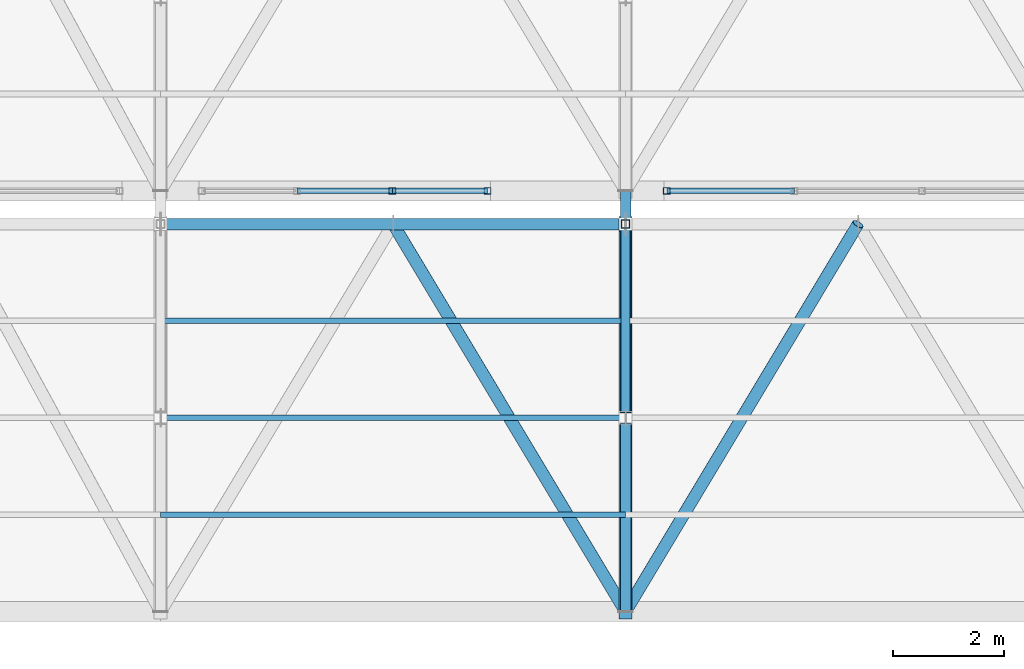
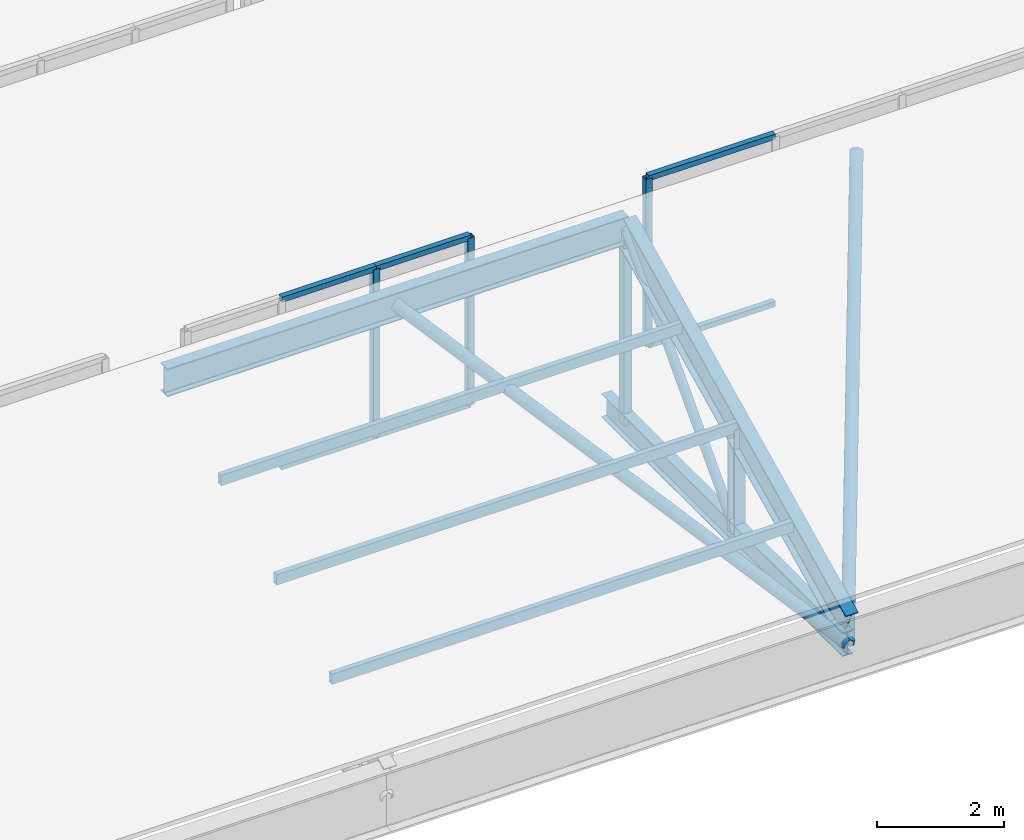
# One storey, part 7 of 57: 20 members, 2 elements without a shape of their own.
"""IFC4 building model written with IfcOpenShell, lengths in metres."""

from ifc_helpers import new_model, si_unit, direction, frame, origin, origin_2d, place, context, subcontext, project, spatial, hollow_rectangle, hollow_circle, i_section, extrude, material, material_profile, profile_set, type_object, element, aggregate, save


model = new_model("IFC4")

# Units and contexts
model_context = context("Model", 3, precision=1e-05, world=origin(), true_north=direction((0.0, 1.0)))
body_context = subcontext(model_context, "Body", "Model", "MODEL_VIEW")
ifc_project = project(units=[si_unit("LENGTHUNIT", "METRE"), si_unit("AREAUNIT", "SQUARE_METRE"), si_unit("VOLUMEUNIT", "CUBIC_METRE"), si_unit("PLANEANGLEUNIT", "RADIAN"), si_unit("MASSUNIT", "GRAM", prefix="KILO")], contexts=[model_context])

# Site, building, storey
site_placement = place(None, origin())
site = spatial("IfcSite", under=ifc_project, at=site_placement, CompositionType="ELEMENT")
building_placement = place(site_placement, origin())
building = spatial("IfcBuilding", under=site, at=building_placement, Name="Zuvorla Pavilion Media Centre", CompositionType="ELEMENT")
storey_placement = place(building_placement, frame((0.0, 0.0, 18.0)))
storey = spatial("IfcBuildingStorey", under=building, at=storey_placement, Name="L04", CompositionType="ELEMENT", Elevation=18.0)

# Curtain wall, members
ifc_material_1 = material(Name="Unitised anodised aluminium and solar glass curtain wall", Category="aluminium")
curtain_wall_type_1 = type_object("IfcCurtainWallType", Name="CW-SYS-91", PredefinedType="USERDEFINED", material=ifc_material_1)
curtain_wall_1_placement = place(storey_placement, origin())
curtain_wall_1 = element("IfcCurtainWall", 1, at=curtain_wall_1_placement, inside=storey, type_object=curtain_wall_type_1, Name="L04 curtain wall CW91 225", ObjectType="CURTAIN WALL", PredefinedType="USERDEFINED")
ifc_material_2 = material(Name="Anodised aluminium 6063-T6", Category="aluminium")
ifc_material_profile_1 = material_profile(ifc_material_2, hollow_rectangle(XDim=0.1201171875, YDim=0.1201171875, WallThickness=0.0048828125, at=origin_2d()), Name="ALU MULL 120x120")
ifc_profile_set_1 = profile_set([ifc_material_profile_1], Name="Anodised aluminium 6063-T6")
member_type_1 = type_object("IfcMemberType", Name="CW-MULL-120", PredefinedType="MULLION", material=ifc_profile_set_1)
member_1_placement = place(storey_placement, frame((129.785888671875, 13.60009765625, 0.0), z_axis=(0.0, 0.0, 1.0), x_axis=(1.0, 0.0, 0.0)))
member_1 = element("IfcMember", 2, at=member_1_placement, type_object=member_type_1, Name="CW91 mullion 3", PredefinedType="MULLION", context=body_context, shape_type="SweptSolid", body=[
    extrude(hollow_rectangle(XDim=0.1201171875, YDim=0.1201171875, WallThickness=0.0048828125, at=origin_2d()), origin(), (0.0, 0.0, 1.0), 3.219970703125),
])
member_2_placement = place(storey_placement, frame((131.506591796875, 13.60009765625, 0.0), z_axis=(0.0, 0.0, 1.0), x_axis=(1.0, 0.0, 0.0)))
member_2 = element("IfcMember", 3, at=member_2_placement, type_object=member_type_1, Name="CW91 mullion 4", PredefinedType="MULLION", context=body_context, shape_type="SweptSolid", body=[
    extrude(hollow_rectangle(XDim=0.1201171875, YDim=0.1201171875, WallThickness=0.0048828125, at=origin_2d()), origin(), (0.0, 0.0, 1.0), 3.219970703125),
])

# Curtain wall, member
curtain_wall_type_2 = type_object("IfcCurtainWallType", Name="CW-SYS-92", PredefinedType="USERDEFINED", material=ifc_material_1)
curtain_wall_2_placement = place(storey_placement, origin())
curtain_wall_2 = element("IfcCurtainWall", 4, at=curtain_wall_2_placement, inside=storey, type_object=curtain_wall_type_2, Name="L04 curtain wall CW92 226", ObjectType="CURTAIN WALL", PredefinedType="USERDEFINED")
member_3_placement = place(storey_placement, frame((134.744384765625, 13.60009765625, 0.0), z_axis=(0.0, 0.0, 1.0), x_axis=(1.0, 0.0, 0.0)))
member_3 = element("IfcMember", 5, at=member_3_placement, type_object=member_type_1, Name="CW92 mullion 1", PredefinedType="MULLION", context=body_context, shape_type="SweptSolid", body=[
    extrude(hollow_rectangle(XDim=0.1201171875, YDim=0.1201171875, WallThickness=0.0048828125, at=origin_2d()), origin(), (0.0, 0.0, 1.0), 3.219970703125),
])

# Member
ifc_material_profile_2 = material_profile(ifc_material_2, hollow_rectangle(XDim=0.10009765625, YDim=0.10009765625, WallThickness=0.00439453125, at=origin_2d()), Name="ALU TRAN 100x100")
ifc_profile_set_2 = profile_set([ifc_material_profile_2], Name="Anodised aluminium 6063-T6")
member_type_2 = type_object("IfcMemberType", Name="CW-TRAN-100", PredefinedType="USERDEFINED", material=ifc_profile_set_2)
member_4_placement = place(storey_placement, frame((128.065185546875, 13.60009765625, 0.0), z_axis=(1.0, 0.0, 0.0), x_axis=(0.0, 1.0, 0.0)))
member_4 = element("IfcMember", 6, at=member_4_placement, type_object=member_type_2, Name="CW91 transom 2.1", ObjectType="TRANSOM", PredefinedType="USERDEFINED", context=body_context, shape_type="SweptSolid", body=[
    extrude(hollow_rectangle(XDim=0.10009765625, YDim=0.10009765625, WallThickness=0.00439453125, at=origin_2d()), origin(), (0.0, 0.0, 1.0), 1.720703125),
])

member_5_placement = place(storey_placement, frame((128.065185546875, 13.60009765625, 3.219970703125), z_axis=(1.0, 0.0, 0.0), x_axis=(0.0, 1.0, 0.0)))
member_5 = element("IfcMember", 7, at=member_5_placement, type_object=member_type_2, Name="CW91 transom 2.2", ObjectType="TRANSOM", PredefinedType="USERDEFINED", context=body_context, shape_type="SweptSolid", body=[
    extrude(hollow_rectangle(XDim=0.10009765625, YDim=0.10009765625, WallThickness=0.00439453125, at=origin_2d()), origin(), (0.0, 0.0, 1.0), 1.720703125),
])

member_6_placement = place(storey_placement, frame((129.785888671875, 13.60009765625, 0.0), z_axis=(1.0, 0.0, 0.0), x_axis=(0.0, 1.0, 0.0)))
member_6 = element("IfcMember", 8, at=member_6_placement, type_object=member_type_2, Name="CW91 transom 3.1", ObjectType="TRANSOM", PredefinedType="USERDEFINED", context=body_context, shape_type="SweptSolid", body=[
    extrude(hollow_rectangle(XDim=0.10009765625, YDim=0.10009765625, WallThickness=0.00439453125, at=origin_2d()), origin(), (0.0, 0.0, 1.0), 1.720703125),
])

member_7_placement = place(storey_placement, frame((129.785888671875, 13.60009765625, 3.219970703125), z_axis=(1.0, 0.0, 0.0), x_axis=(0.0, 1.0, 0.0)))
member_7 = element("IfcMember", 9, at=member_7_placement, type_object=member_type_2, Name="CW91 transom 3.2", ObjectType="TRANSOM", PredefinedType="USERDEFINED", context=body_context, shape_type="SweptSolid", body=[
    extrude(hollow_rectangle(XDim=0.10009765625, YDim=0.10009765625, WallThickness=0.00439453125, at=origin_2d()), origin(), (0.0, 0.0, 1.0), 1.720703125),
])

aggregate(curtain_wall_1, [member_1, member_2, member_4, member_5, member_6, member_7])

member_8_placement = place(storey_placement, frame((134.744384765625, 13.60009765625, 0.0), z_axis=(1.0, 0.0, 0.0), x_axis=(0.0, 1.0, 0.0)))
member_8 = element("IfcMember", 10, at=member_8_placement, type_object=member_type_2, Name="CW92 transom 1.1", ObjectType="TRANSOM", PredefinedType="USERDEFINED", context=body_context, shape_type="SweptSolid", body=[
    extrude(hollow_rectangle(XDim=0.10009765625, YDim=0.10009765625, WallThickness=0.00439453125, at=origin_2d()), origin(), (0.0, 0.0, 1.0), 2.3037109375),
])

member_9_placement = place(storey_placement, frame((134.744384765625, 13.60009765625, 3.219970703125), z_axis=(1.0, 0.0, 0.0), x_axis=(0.0, 1.0, 0.0)))
member_9 = element("IfcMember", 11, at=member_9_placement, type_object=member_type_2, Name="CW92 transom 1.2", ObjectType="TRANSOM", PredefinedType="USERDEFINED", context=body_context, shape_type="SweptSolid", body=[
    extrude(hollow_rectangle(XDim=0.10009765625, YDim=0.10009765625, WallThickness=0.00439453125, at=origin_2d()), origin(), (0.0, 0.0, 1.0), 2.3037109375),
])

aggregate(curtain_wall_2, [member_3, member_8, member_9])

# Members
ifc_material_3 = material(Name="Steel S355", Category="steel")
ifc_material_profile_3 = material_profile(ifc_material_3, hollow_circle(Radius=0.084228515625, WallThickness=0.008056640625, at=origin_2d()), Name="CHS 168.3x8")
ifc_profile_set_3 = profile_set([ifc_material_profile_3], Name="Steel S355")
member_type_3 = type_object("IfcMemberType", Name="MEM-BRC-CHS168", PredefinedType="BRACE", material=ifc_profile_set_3)
member_10_placement = place(storey_placement, frame((134.0, 9.5, -0.8798828125), z_axis=(0.0, 0.681156069412, 0.732138244529), x_axis=(-1.0, 0.0, 0.0)))
element("IfcMember", 12, at=member_10_placement, inside=storey, type_object=member_type_3, Name="L04 diagonal brace TB03 511", PredefinedType="BRACE", context=body_context, shape_type="SweptSolid", body=[
    extrude(hollow_circle(Radius=0.084228515625, WallThickness=0.008056640625, at=origin_2d()), origin(), (0.0, 0.0, 1.0), 5.138427734375),
])
ifc_material_profile_4 = material_profile(ifc_material_3, hollow_circle(Radius=0.109619140625, WallThickness=0.010009765625, at=origin_2d()), Name="CHS 219.1x10")
ifc_profile_set_4 = profile_set([ifc_material_profile_4], Name="Steel S355")
member_type_4 = type_object("IfcMemberType", Name="MEM-BRC-CHS219", PredefinedType="BRACE", material=ifc_profile_set_4)
for number, where, z_axis, x_axis, name in (
    (13, (129.800048828125, 13.0, 2.882080078125), (0.46726169892, -0.778778552081, -0.418533716135), (0.857495564561, 0.514491357322, 0.0), "L04 diagonal brace TB02 536"),
    (14, (134.0, 6.0, -0.8798828125), (0.46726169892, 0.778778552081, 0.418533716135), (-0.857495564561, 0.514491357322, 0.0), "L04 diagonal brace TB02 541"),
):
    element("IfcMember", number, at=place(storey_placement, frame(where, z_axis=z_axis, x_axis=x_axis)), inside=storey, type_object=member_type_4, Name=name, PredefinedType="BRACE", context=body_context, shape_type="SweptSolid", body=[
        extrude(hollow_circle(Radius=0.109619140625, WallThickness=0.010009765625, at=origin_2d()), origin(), (0.0, 0.0, 1.0), 8.988525390625),
    ])
ifc_material_profile_5 = material_profile(ifc_material_3, i_section(OverallWidth=0.19140625, OverallDepth=0.4599609375, WebThickness=0.010009765625, FlangeThickness=0.01611328125, FilletRadius=0.01025390625, at=origin_2d()), Name="UB 457x191x82")
ifc_profile_set_5 = profile_set([ifc_material_profile_5], Name="Steel S355")
member_type_5 = type_object("IfcMemberType", Name="MEM-CHD-UB457", PredefinedType="CHORD", material=ifc_profile_set_5)
member_11_placement = place(storey_placement, frame((134.0, 6.0, -0.8798828125), z_axis=(0.0, 1.0, 0.0), x_axis=(-1.0, 0.0, 0.0)))
element("IfcMember", 15, at=member_11_placement, inside=storey, type_object=member_type_5, Name="L04 chord TC03 508", PredefinedType="CHORD", context=body_context, shape_type="SweptSolid", body=[
    extrude(i_section(OverallWidth=0.19140625, OverallDepth=0.4599609375, WebThickness=0.010009765625, FlangeThickness=0.01611328125, FilletRadius=0.01025390625, at=origin_2d()), origin(), (0.0, 0.0, 1.0), 7.60009765625),
])
ifc_material_profile_6 = material_profile(ifc_material_3, i_section(OverallWidth=0.2099609375, OverallDepth=0.53662109375, WebThickness=0.0107421875, FlangeThickness=0.017333984375, FilletRadius=0.0126953125, at=origin_2d()), Name="UB 533x210x101")
ifc_profile_set_6 = profile_set([ifc_material_profile_6], Name="Steel S355")
member_type_6 = type_object("IfcMemberType", Name="MEM-CHD-UB533", PredefinedType="CHORD", material=ifc_profile_set_6)
member_12_placement = place(storey_placement, frame((125.60009765625, 13.0, 2.882080078125), z_axis=(1.0, 0.0, 0.0), x_axis=(0.0, 1.0, 0.0)))
element("IfcMember", 16, at=member_12_placement, inside=storey, type_object=member_type_6, Name="L04 chord TC02 534", PredefinedType="CHORD", context=body_context, shape_type="SweptSolid", body=[
    extrude(i_section(OverallWidth=0.2099609375, OverallDepth=0.53662109375, WebThickness=0.0107421875, FlangeThickness=0.017333984375, FilletRadius=0.0126953125, at=origin_2d()), origin(), (0.0, 0.0, 1.0), 8.39990234375),
])
ifc_material_profile_7 = material_profile(ifc_material_3, i_section(OverallWidth=0.22900390625, OverallDepth=0.6123046875, WebThickness=0.011962890625, FlangeThickness=0.01953125, FilletRadius=0.0126953125, at=origin_2d()), Name="UB 610x229x125")
ifc_profile_set_7 = profile_set([ifc_material_profile_7], Name="Steel S355")
member_type_7 = type_object("IfcMemberType", Name="MEM-CHD-UB610", PredefinedType="CHORD", material=ifc_profile_set_7)
member_13_placement = place(storey_placement, frame((134.0, 6.0, -0.517822265625), z_axis=(0.0, 0.899513090263, 0.436893809117), x_axis=(-1.0, 0.0, 0.0)))
element("IfcMember", 17, at=member_13_placement, inside=storey, type_object=member_type_7, Name="L04 chord TC01 509", PredefinedType="CHORD", context=body_context, shape_type="SweptSolid", body=[
    extrude(i_section(OverallWidth=0.22900390625, OverallDepth=0.6123046875, WebThickness=0.011962890625, FlangeThickness=0.01953125, FilletRadius=0.0126953125, at=origin_2d()), origin(), (0.0, 0.0, 1.0), 7.781982421875),
])
ifc_material_profile_8 = material_profile(ifc_material_3, hollow_rectangle(XDim=0.10009765625, YDim=0.199951171875, WallThickness=0.008056640625, at=origin_2d()), Name="RHS 200x100x8")
ifc_profile_set_8 = profile_set([ifc_material_profile_8], Name="Steel S355")
member_type_8 = type_object("IfcMemberType", Name="MEM-PUR-RHS200", PredefinedType="PURLIN", material=ifc_profile_set_8)
for number, where, z_axis, x_axis, name in (
    (18, (125.60009765625, 7.75, 0.33203125), (1.0, 0.0, 0.0), (0.0, 1.0, 0.0), "L04 purlin PR01 537"),
    (19, (125.60009765625, 9.5, 1.18212890625), (1.0, 0.0, 0.0), (0.0, 1.0, 0.0), "L04 purlin PR01 538"),
    (20, (125.60009765625, 11.25, 2.031982421875), (1.0, 0.0, 0.0), (0.0, 1.0, 0.0), "L04 purlin PR01 539"),
):
    element("IfcMember", number, at=place(storey_placement, frame(where, z_axis=z_axis, x_axis=x_axis)), inside=storey, type_object=member_type_8, Name=name, PredefinedType="PURLIN", context=body_context, shape_type="SweptSolid", body=[
        extrude(hollow_rectangle(XDim=0.10009765625, YDim=0.199951171875, WallThickness=0.008056640625, at=origin_2d()), origin(), (0.0, 0.0, 1.0), 8.39990234375),
    ])
ifc_material_profile_9 = material_profile(ifc_material_3, hollow_rectangle(XDim=0.14990234375, YDim=0.14990234375, WallThickness=0.008056640625, at=origin_2d()), Name="SHS 150x150x8")
ifc_profile_set_9 = profile_set([ifc_material_profile_9], Name="Steel S355")
member_type_9 = type_object("IfcMemberType", Name="MEM-STR-SHS150", PredefinedType="STRUT", material=ifc_profile_set_9)
member_14_placement = place(storey_placement, frame((134.0, 13.0, -0.8798828125), z_axis=(0.0, 0.0, 1.0), x_axis=(1.0, 0.0, 0.0)))
element("IfcMember", 21, at=member_14_placement, inside=storey, type_object=member_type_9, Name="L04 vertical strut TS01 510", PredefinedType="STRUT", context=body_context, shape_type="SweptSolid", body=[
    extrude(hollow_rectangle(XDim=0.14990234375, YDim=0.14990234375, WallThickness=0.008056640625, at=origin_2d()), origin(), (0.0, 0.0, 1.0), 3.761962890625),
])
ifc_material_profile_10 = material_profile(ifc_material_3, i_section(OverallWidth=0.205810546875, OverallDepth=0.209716796875, WebThickness=0.009521484375, FlangeThickness=0.01416015625, FilletRadius=0.01025390625, at=origin_2d()), Name="UC 203x203x60")
ifc_profile_set_10 = profile_set([ifc_material_profile_10], Name="Steel S355")
member_type_10 = type_object("IfcMemberType", Name="MEM-STR-UC203", PredefinedType="STRUT", material=ifc_profile_set_10)
member_15_placement = place(storey_placement, frame((134.0, 9.5, -0.8798828125), z_axis=(0.0, 0.0, 1.0), x_axis=(1.0, 0.0, 0.0)))
element("IfcMember", 22, at=member_15_placement, inside=storey, type_object=member_type_10, Name="L04 vertical strut TS02 512", PredefinedType="STRUT", context=body_context, shape_type="SweptSolid", body=[
    extrude(i_section(OverallWidth=0.205810546875, OverallDepth=0.209716796875, WebThickness=0.009521484375, FlangeThickness=0.01416015625, FilletRadius=0.01025390625, at=origin_2d()), origin(), (0.0, 0.0, 1.0), 2.06201171875),
])

save(model, "model.ifc")
